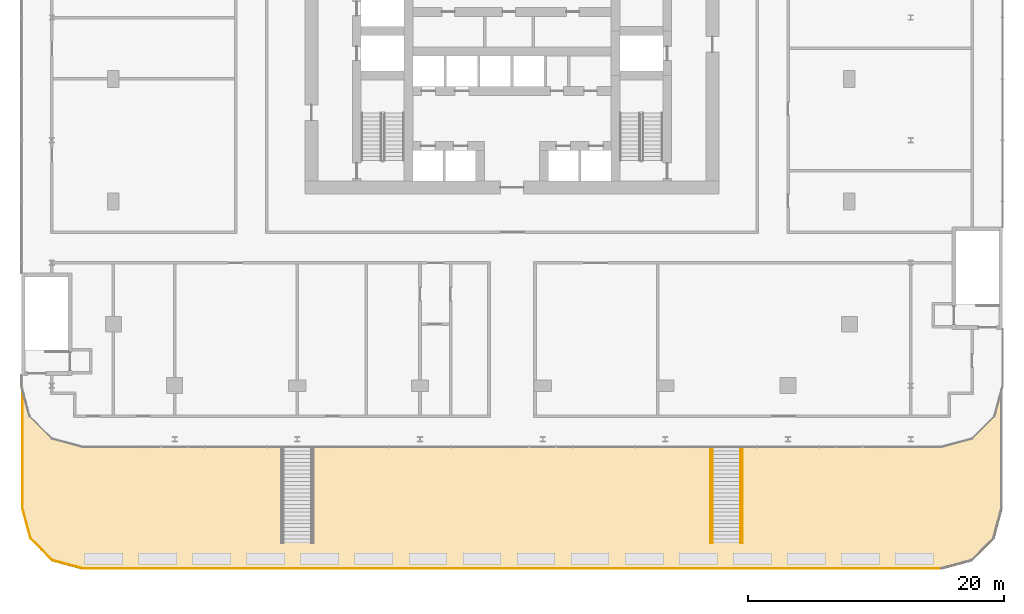
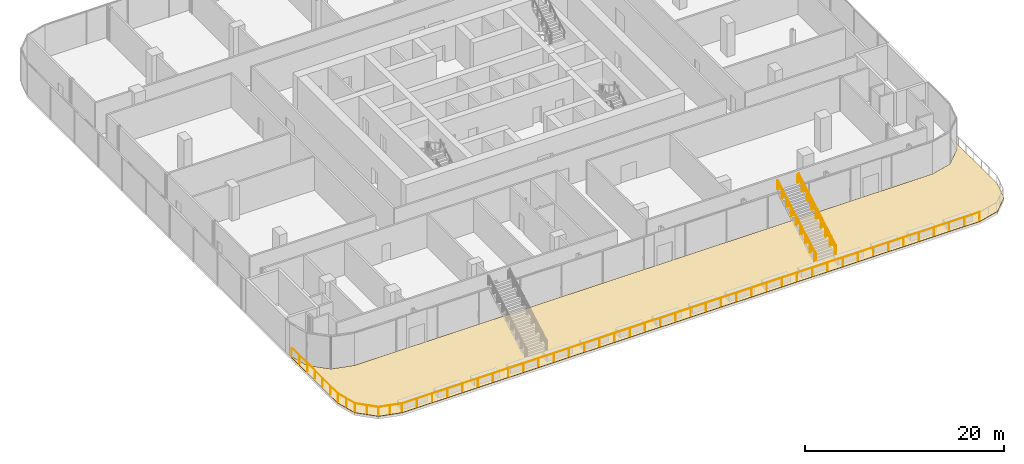
# One storey, part 29 of 32: 5 railings, 1 covering.
"""IFC4 building model written with IfcOpenShell, lengths in metres."""

from ifc_helpers import new_model, si_unit, direction, frame, origin, origin_2d, place, context, subcontext, project, spatial, polyline, circle, outline, extrude, material, layer, layer_set, type_object, element, save


model = new_model("IFC4")

# Units and contexts
model_context = context("Model", 3, precision=1e-05, world=origin(), true_north=direction((0.0, 1.0)))
body_context = subcontext(model_context, "Body", "Model", "MODEL_VIEW")
ifc_project = project(units=[si_unit("LENGTHUNIT", "METRE"), si_unit("AREAUNIT", "SQUARE_METRE"), si_unit("VOLUMEUNIT", "CUBIC_METRE"), si_unit("PLANEANGLEUNIT", "RADIAN"), si_unit("MASSUNIT", "GRAM", prefix="KILO")], contexts=[model_context])

# Site, building, storey
site_placement = place(None, origin())
site = spatial("IfcSite", under=ifc_project, at=site_placement, CompositionType="ELEMENT")
building_placement = place(site_placement, origin())
building = spatial("IfcBuilding", under=site, at=building_placement, Name="Madar Terraces", CompositionType="ELEMENT")
storey_placement = place(building_placement, frame((0.0, 0.0, 19.5)))
storey = spatial("IfcBuildingStorey", under=building, at=storey_placement, Name="L04", CompositionType="ELEMENT", Elevation=19.5)

# Railings
ifc_material_1 = material(Name="Glass, safety glazing, with stainless steel posts", Category="steel")
railing_type_1 = type_object("IfcRailingType", Name="Balcony glass guard 1100", PredefinedType="GUARDRAIL", material=ifc_material_1)
railing_placement = place(storey_placement, frame((-7.10009765625, -0.330810546875, 0.0400390625)))
element("IfcRailing", 1, at=railing_placement, inside=storey, type_object=railing_type_1, Name="Terrace guard", PredefinedType="GUARDRAIL", context=body_context, shape_type="SweptSolid", body=[
    extrude(circle(Radius=0.02392578125, at=origin_2d()), frame((0.0, 0.0, 1.076171875), z_axis=(0.0, -1.0, 0.0), x_axis=(1.0, 0.0, 0.0)), (0.0, 0.0, 1.0), 9.269287109375),
    extrude(circle(Radius=0.02392578125, at=origin_2d()), frame((0.0, -9.269287109375, 1.076171875), z_axis=(0.258911647064, -0.965901008911, 0.0), x_axis=(0.965901008911, 0.258911647064, 0.0)), (0.0, 0.0, 1.0), 2.432861328125),
    extrude(circle(Radius=0.02392578125, at=origin_2d()), frame((0.6298828125, -11.619140625, 1.076171875), z_axis=(0.70705660508, -0.707156953733, 0.0), x_axis=(0.707156953733, 0.70705660508, 0.0)), (0.0, 0.0, 1.0), 2.432861328125),
    extrude(circle(Radius=0.02392578125, at=origin_2d()), frame((2.35009765625, -13.339599609375, 1.076171875), z_axis=(0.965932823238, -0.258792930722, 0.0), x_axis=(0.258792930722, 0.965932823238, 0.0)), (0.0, 0.0, 1.0), 2.432861328125),
    extrude(circle(Radius=0.02392578125, at=origin_2d()), frame((4.7001953125, -13.96923828125, 1.076171875), z_axis=(1.0, 0.0, 0.0), x_axis=(0.0, 1.0, 0.0)), (0.0, 0.0, 1.0), 67.199951171875),
    extrude(circle(Radius=0.02099609375, at=origin_2d()), origin(), (0.0, 0.0, 1.0), 1.052001953125),
    extrude(circle(Radius=0.02099609375, at=origin_2d()), frame((0.0, -1.544921875, 0.0)), (0.0, 0.0, 1.0), 1.052001953125),
    extrude(circle(Radius=0.02099609375, at=origin_2d()), frame((0.0, -3.08984375, 0.0)), (0.0, 0.0, 1.0), 1.052001953125),
    extrude(circle(Radius=0.02099609375, at=origin_2d()), frame((0.0, -4.634765625, 0.0)), (0.0, 0.0, 1.0), 1.052001953125),
    extrude(circle(Radius=0.02099609375, at=origin_2d()), frame((0.0, -6.179443359375, 0.0)), (0.0, 0.0, 1.0), 1.052001953125),
    extrude(circle(Radius=0.02099609375, at=origin_2d()), frame((0.0, -7.724365234375, 0.0)), (0.0, 0.0, 1.0), 1.052001953125),
    extrude(circle(Radius=0.02099609375, at=origin_2d()), frame((0.0, -9.269287109375, 0.0)), (0.0, 0.0, 1.0), 1.052001953125),
    extrude(circle(Radius=0.02099609375, at=origin_2d()), frame((0.31494140625, -10.4443359375, 0.0)), (0.0, 0.0, 1.0), 1.052001953125),
    extrude(circle(Radius=0.02099609375, at=origin_2d()), frame((0.6298828125, -11.619140625, 0.0)), (0.0, 0.0, 1.0), 1.052001953125),
    extrude(circle(Radius=0.02099609375, at=origin_2d()), frame((1.489990234375, -12.4794921875, 0.0)), (0.0, 0.0, 1.0), 1.052001953125),
    extrude(circle(Radius=0.02099609375, at=origin_2d()), frame((2.35009765625, -13.339599609375, 0.0)), (0.0, 0.0, 1.0), 1.052001953125),
    extrude(circle(Radius=0.02099609375, at=origin_2d()), frame((3.525146484375, -13.654296875, 0.0)), (0.0, 0.0, 1.0), 1.052001953125),
    extrude(circle(Radius=0.02099609375, at=origin_2d()), frame((4.7001953125, -13.96923828125, 0.0)), (0.0, 0.0, 1.0), 1.052001953125),
    extrude(circle(Radius=0.02099609375, at=origin_2d()), frame((6.468505859375, -13.96923828125, 0.0)), (0.0, 0.0, 1.0), 1.052001953125),
    extrude(circle(Radius=0.02099609375, at=origin_2d()), frame((8.237060546875, -13.96923828125, 0.0)), (0.0, 0.0, 1.0), 1.052001953125),
    extrude(circle(Radius=0.02099609375, at=origin_2d()), frame((10.00537109375, -13.96923828125, 0.0)), (0.0, 0.0, 1.0), 1.052001953125),
    extrude(circle(Radius=0.02099609375, at=origin_2d()), frame((11.77392578125, -13.96923828125, 0.0)), (0.0, 0.0, 1.0), 1.052001953125),
    extrude(circle(Radius=0.02099609375, at=origin_2d()), frame((13.542236328125, -13.96923828125, 0.0)), (0.0, 0.0, 1.0), 1.052001953125),
    extrude(circle(Radius=0.02099609375, at=origin_2d()), frame((15.310791015625, -13.96923828125, 0.0)), (0.0, 0.0, 1.0), 1.052001953125),
    extrude(circle(Radius=0.02099609375, at=origin_2d()), frame((17.0791015625, -13.96923828125, 0.0)), (0.0, 0.0, 1.0), 1.052001953125),
    extrude(circle(Radius=0.02099609375, at=origin_2d()), frame((18.84765625, -13.96923828125, 0.0)), (0.0, 0.0, 1.0), 1.052001953125),
    extrude(circle(Radius=0.02099609375, at=origin_2d()), frame((20.615966796875, -13.96923828125, 0.0)), (0.0, 0.0, 1.0), 1.052001953125),
    extrude(circle(Radius=0.02099609375, at=origin_2d()), frame((22.38427734375, -13.96923828125, 0.0)), (0.0, 0.0, 1.0), 1.052001953125),
    extrude(circle(Radius=0.02099609375, at=origin_2d()), frame((24.15283203125, -13.96923828125, 0.0)), (0.0, 0.0, 1.0), 1.052001953125),
    extrude(circle(Radius=0.02099609375, at=origin_2d()), frame((25.921142578125, -13.96923828125, 0.0)), (0.0, 0.0, 1.0), 1.052001953125),
    extrude(circle(Radius=0.02099609375, at=origin_2d()), frame((27.689697265625, -13.96923828125, 0.0)), (0.0, 0.0, 1.0), 1.052001953125),
    extrude(circle(Radius=0.02099609375, at=origin_2d()), frame((29.4580078125, -13.96923828125, 0.0)), (0.0, 0.0, 1.0), 1.052001953125),
    extrude(circle(Radius=0.02099609375, at=origin_2d()), frame((31.2265625, -13.96923828125, 0.0)), (0.0, 0.0, 1.0), 1.052001953125),
    extrude(circle(Radius=0.02099609375, at=origin_2d()), frame((32.994873046875, -13.96923828125, 0.0)), (0.0, 0.0, 1.0), 1.052001953125),
    extrude(circle(Radius=0.02099609375, at=origin_2d()), frame((34.763427734375, -13.96923828125, 0.0)), (0.0, 0.0, 1.0), 1.052001953125),
    extrude(circle(Radius=0.02099609375, at=origin_2d()), frame((36.53173828125, -13.96923828125, 0.0)), (0.0, 0.0, 1.0), 1.052001953125),
    extrude(circle(Radius=0.02099609375, at=origin_2d()), frame((38.30029296875, -13.96923828125, 0.0)), (0.0, 0.0, 1.0), 1.052001953125),
    extrude(circle(Radius=0.02099609375, at=origin_2d()), frame((40.068603515625, -13.96923828125, 0.0)), (0.0, 0.0, 1.0), 1.052001953125),
    extrude(circle(Radius=0.02099609375, at=origin_2d()), frame((41.8369140625, -13.96923828125, 0.0)), (0.0, 0.0, 1.0), 1.052001953125),
    extrude(circle(Radius=0.02099609375, at=origin_2d()), frame((43.60546875, -13.96923828125, 0.0)), (0.0, 0.0, 1.0), 1.052001953125),
    extrude(circle(Radius=0.02099609375, at=origin_2d()), frame((45.373779296875, -13.96923828125, 0.0)), (0.0, 0.0, 1.0), 1.052001953125),
    extrude(circle(Radius=0.02099609375, at=origin_2d()), frame((47.142333984375, -13.96923828125, 0.0)), (0.0, 0.0, 1.0), 1.052001953125),
    extrude(circle(Radius=0.02099609375, at=origin_2d()), frame((48.91064453125, -13.96923828125, 0.0)), (0.0, 0.0, 1.0), 1.052001953125),
    extrude(circle(Radius=0.02099609375, at=origin_2d()), frame((50.67919921875, -13.96923828125, 0.0)), (0.0, 0.0, 1.0), 1.052001953125),
    extrude(circle(Radius=0.02099609375, at=origin_2d()), frame((52.447509765625, -13.96923828125, 0.0)), (0.0, 0.0, 1.0), 1.052001953125),
    extrude(circle(Radius=0.02099609375, at=origin_2d()), frame((54.216064453125, -13.96923828125, 0.0)), (0.0, 0.0, 1.0), 1.052001953125),
    extrude(circle(Radius=0.02099609375, at=origin_2d()), frame((55.984375, -13.96923828125, 0.0)), (0.0, 0.0, 1.0), 1.052001953125),
    extrude(circle(Radius=0.02099609375, at=origin_2d()), frame((57.752685546875, -13.96923828125, 0.0)), (0.0, 0.0, 1.0), 1.052001953125),
    extrude(circle(Radius=0.02099609375, at=origin_2d()), frame((59.521240234375, -13.96923828125, 0.0)), (0.0, 0.0, 1.0), 1.052001953125),
    extrude(circle(Radius=0.02099609375, at=origin_2d()), frame((61.28955078125, -13.96923828125, 0.0)), (0.0, 0.0, 1.0), 1.052001953125),
    extrude(circle(Radius=0.02099609375, at=origin_2d()), frame((63.05810546875, -13.96923828125, 0.0)), (0.0, 0.0, 1.0), 1.052001953125),
    extrude(circle(Radius=0.02099609375, at=origin_2d()), frame((64.826416015625, -13.96923828125, 0.0)), (0.0, 0.0, 1.0), 1.052001953125),
    extrude(circle(Radius=0.02099609375, at=origin_2d()), frame((66.594970703125, -13.96923828125, 0.0)), (0.0, 0.0, 1.0), 1.052001953125),
    extrude(circle(Radius=0.02099609375, at=origin_2d()), frame((68.36328125, -13.96923828125, 0.0)), (0.0, 0.0, 1.0), 1.052001953125),
    extrude(circle(Radius=0.02099609375, at=origin_2d()), frame((70.1318359375, -13.96923828125, 0.0)), (0.0, 0.0, 1.0), 1.052001953125),
    extrude(circle(Radius=0.02099609375, at=origin_2d()), frame((71.900146484375, -13.96923828125, 0.0)), (0.0, 0.0, 1.0), 1.052001953125),
])
ifc_material_2 = material(Name="Glass, safety glazing, with stainless steel posts", Category="steel")
railing_type_2 = type_object("IfcRailingType", Name="Cascade stair guard 1100", PredefinedType="GUARDRAIL", material=ifc_material_2)
for number, where, name in (
    (2, (46.75, -12.300048828125, 0.173095703125), "Cascade stair guard L05 2"),
    (3, (49.25, -12.300048828125, 0.173095703125), "Cascade stair guard L05 2"),
):
    element("IfcRailing", number, at=place(storey_placement, frame(where)), inside=storey, type_object=railing_type_2, Name=name, PredefinedType="GUARDRAIL", context=body_context, shape_type="SweptSolid", body=[
        extrude(circle(Radius=0.02392578125, at=origin_2d()), frame((0.0, 0.0, 1.076171875), z_axis=(0.0, 0.866186524876, 0.499720826184), x_axis=(-1.0, 0.0, 0.0)), (0.0, 0.0, 1.0), 8.65869140625),
        extrude(circle(Radius=0.02099609375, at=origin_2d()), origin(), (0.0, 0.0, 1.0), 1.052001953125),
        extrude(circle(Radius=0.02099609375, at=origin_2d()), frame((0.0, 0.9375, 0.540771484375)), (0.0, 0.0, 1.0), 1.052001953125),
        extrude(circle(Radius=0.02099609375, at=origin_2d()), frame((0.0, 1.875, 1.081787109375)), (0.0, 0.0, 1.0), 1.052001953125),
        extrude(circle(Radius=0.02099609375, at=origin_2d()), frame((0.0, 2.8125, 1.62255859375)), (0.0, 0.0, 1.0), 1.052001953125),
        extrude(circle(Radius=0.02099609375, at=origin_2d()), frame((0.0, 3.75, 2.16357421875)), (0.0, 0.0, 1.0), 1.052001953125),
        extrude(circle(Radius=0.02099609375, at=origin_2d()), frame((0.0, 4.6875, 2.704345703125)), (0.0, 0.0, 1.0), 1.052001953125),
        extrude(circle(Radius=0.02099609375, at=origin_2d()), frame((0.0, 5.625, 3.2451171875)), (0.0, 0.0, 1.0), 1.052001953125),
        extrude(circle(Radius=0.02099609375, at=origin_2d()), frame((0.0, 6.5625, 3.7861328125)), (0.0, 0.0, 1.0), 1.052001953125),
        extrude(circle(Radius=0.02099609375, at=origin_2d()), frame((0.0, 7.5, 4.326904296875)), (0.0, 0.0, 1.0), 1.052001953125),
    ])
ifc_material_3 = material(Name="Stainless steel", Category="steel")
railing_type_3 = type_object("IfcRailingType", Name="Cascade stair handrail 920", PredefinedType="HANDRAIL", material=ifc_material_3)
for number, where, name in (
    (4, (46.89990234375, -12.300048828125, 0.173095703125), "Cascade stair handrail L05 2"),
    (5, (49.10009765625, -12.300048828125, 0.173095703125), "Cascade stair handrail L05 2"),
):
    element("IfcRailing", number, at=place(storey_placement, frame(where)), inside=storey, type_object=railing_type_3, Name=name, PredefinedType="HANDRAIL", context=body_context, shape_type="SweptSolid", body=[
        extrude(circle(Radius=0.02392578125, at=origin_2d()), frame((0.0, 0.0, 0.89599609375), z_axis=(0.0, 0.866186524876, 0.499720826184), x_axis=(-1.0, 0.0, 0.0)), (0.0, 0.0, 1.0), 8.65869140625),
        extrude(circle(Radius=0.02099609375, at=origin_2d()), origin(), (0.0, 0.0, 1.0), 0.871826171875),
        extrude(circle(Radius=0.02099609375, at=origin_2d()), frame((0.0, 0.9375, 0.540771484375)), (0.0, 0.0, 1.0), 0.871826171875),
        extrude(circle(Radius=0.02099609375, at=origin_2d()), frame((0.0, 1.875, 1.081787109375)), (0.0, 0.0, 1.0), 0.871826171875),
        extrude(circle(Radius=0.02099609375, at=origin_2d()), frame((0.0, 2.8125, 1.62255859375)), (0.0, 0.0, 1.0), 0.871826171875),
        extrude(circle(Radius=0.02099609375, at=origin_2d()), frame((0.0, 3.75, 2.16357421875)), (0.0, 0.0, 1.0), 0.871826171875),
        extrude(circle(Radius=0.02099609375, at=origin_2d()), frame((0.0, 4.6875, 2.704345703125)), (0.0, 0.0, 1.0), 0.871826171875),
        extrude(circle(Radius=0.02099609375, at=origin_2d()), frame((0.0, 5.625, 3.2451171875)), (0.0, 0.0, 1.0), 0.871826171875),
        extrude(circle(Radius=0.02099609375, at=origin_2d()), frame((0.0, 6.5625, 3.7861328125)), (0.0, 0.0, 1.0), 0.871826171875),
        extrude(circle(Radius=0.02099609375, at=origin_2d()), frame((0.0, 7.5, 4.326904296875)), (0.0, 0.0, 1.0), 0.871826171875),
    ])

# Covering
ifc_material_4 = material(Name="Porcelain paving slabs on pedestals")
ifc_layer = layer(ifc_material_4, 0.0400390625)
ifc_layer_set = layer_set([ifc_layer], Name="Terrace paving 40")
covering_type = type_object("IfcCoveringType", Name="Terrace paving 40", PredefinedType="FLOORING", material=ifc_layer_set)
covering_placement = place(storey_placement, origin())
element("IfcCovering", 6, at=covering_placement, inside=storey, type_object=covering_type, Name="Terrace paving", PredefinedType="FLOORING", context=body_context, shape_type="SweptSolid", body=[
    extrude(outline(polyline([(-6.556884765625, -2.39990234375), (-6.555908203125, -2.40087890625), (-4.80078125, -4.156005859375), (-4.800048828125, -4.156982421875), (-4.798583984375, -4.1572265625), (-2.401123046875, -4.7998046875), (-2.39990234375, -4.800048828125), (-2.39892578125, -4.800048828125), (64.798828125, -4.800048828125), (64.800048828125, -4.800048828125), (64.801025390625, -4.7998046875), (67.19873046875, -4.1572265625), (67.199951171875, -4.156982421875), (67.200927734375, -4.156005859375), (68.9560546875, -2.40087890625), (68.956787109375, -2.39990234375), (68.957275390625, -2.398681640625), (69.501708984375, -0.36669921875), (69.503173828125, -0.362060546875), (69.505126953125, -0.357666015625), (69.507568359375, -0.353271484375), (69.510498046875, -0.34912109375), (69.513671875, -0.345458984375), (69.517333984375, -0.342041015625), (69.521240234375, -0.3388671875), (69.525390625, -0.336181640625), (69.52978515625, -0.333984375), (69.534423828125, -0.332275390625), (69.539306640625, -0.3310546875), (69.544189453125, -0.330078125), (69.549072265625, -0.329833984375), (69.55419921875, -0.330078125), (69.55908203125, -0.33056640625), (69.563720703125, -0.331787109375), (69.568603515625, -0.333251953125), (69.572998046875, -0.33544921875), (69.577392578125, -0.337890625), (69.581298828125, -0.3408203125), (69.5849609375, -0.343994140625), (69.58837890625, -0.347900390625), (69.59130859375, -0.351806640625), (69.593994140625, -0.35595703125), (69.59619140625, -0.3603515625), (69.597900390625, -0.364990234375), (69.59912109375, -0.369873046875), (69.599853515625, -0.374755859375), (69.60009765625, -0.3798828125), (69.60009765625, -9.593505859375), (69.599853515625, -9.597900390625), (69.59912109375, -9.60205078125), (69.598388671875, -9.6064453125), (68.96044921875, -11.987060546875), (68.958740234375, -11.991943359375), (68.95654296875, -11.996826171875), (68.9541015625, -12.00146484375), (68.950927734375, -12.005615234375), (68.947509765625, -12.009521484375), (67.20947265625, -13.747314453125), (67.20556640625, -13.7509765625), (67.201416015625, -13.75390625), (67.19677734375, -13.756591796875), (67.19189453125, -13.7587890625), (67.18701171875, -13.760498046875), (64.806396484375, -14.398193359375), (64.802001953125, -14.399169921875), (64.7978515625, -14.39990234375), (64.79345703125, -14.39990234375), (-2.393310546875, -14.39990234375), (-2.397705078125, -14.39990234375), (-2.402099609375, -14.399169921875), (-2.406494140625, -14.398193359375), (-4.787109375, -13.760498046875), (-4.7919921875, -13.7587890625), (-4.796875, -13.756591796875), (-4.801513671875, -13.75390625), (-4.8056640625, -13.7509765625), (-4.8095703125, -13.747314453125), (-6.54736328125, -12.009521484375), (-6.551025390625, -12.005615234375), (-6.553955078125, -12.00146484375), (-6.556640625, -11.996826171875), (-6.558837890625, -11.991943359375), (-6.560302734375, -11.987060546875), (-7.1982421875, -9.6064453125), (-7.19921875, -9.60205078125), (-7.19970703125, -9.597900390625), (-7.199951171875, -9.593505859375), (-7.199951171875, -0.3798828125), (-7.19970703125, -0.374755859375), (-7.198974609375, -0.369873046875), (-7.19775390625, -0.364990234375), (-7.196044921875, -0.3603515625), (-7.194091796875, -0.35595703125), (-7.19140625, -0.351806640625), (-7.1884765625, -0.347900390625), (-7.18505859375, -0.343994140625), (-7.181396484375, -0.3408203125), (-7.17724609375, -0.337890625), (-7.173095703125, -0.33544921875), (-7.16845703125, -0.333251953125), (-7.163818359375, -0.331787109375), (-7.158935546875, -0.33056640625), (-7.154052734375, -0.330078125), (-7.149169921875, -0.329833984375), (-7.14404296875, -0.330078125), (-7.139404296875, -0.3310546875), (-7.134521484375, -0.332275390625), (-7.1298828125, -0.333984375), (-7.12548828125, -0.336181640625), (-7.12109375, -0.3388671875), (-7.1171875, -0.342041015625), (-7.11376953125, -0.345458984375), (-7.110595703125, -0.34912109375), (-7.107666015625, -0.353271484375), (-7.105224609375, -0.357666015625), (-7.103271484375, -0.362060546875), (-7.101806640625, -0.36669921875), (-6.557373046875, -2.398681640625), (-6.556884765625, -2.39990234375)])), origin(), (0.0, 0.0, 1.0), 0.0400390625),
])

save(model, "model.ifc")
